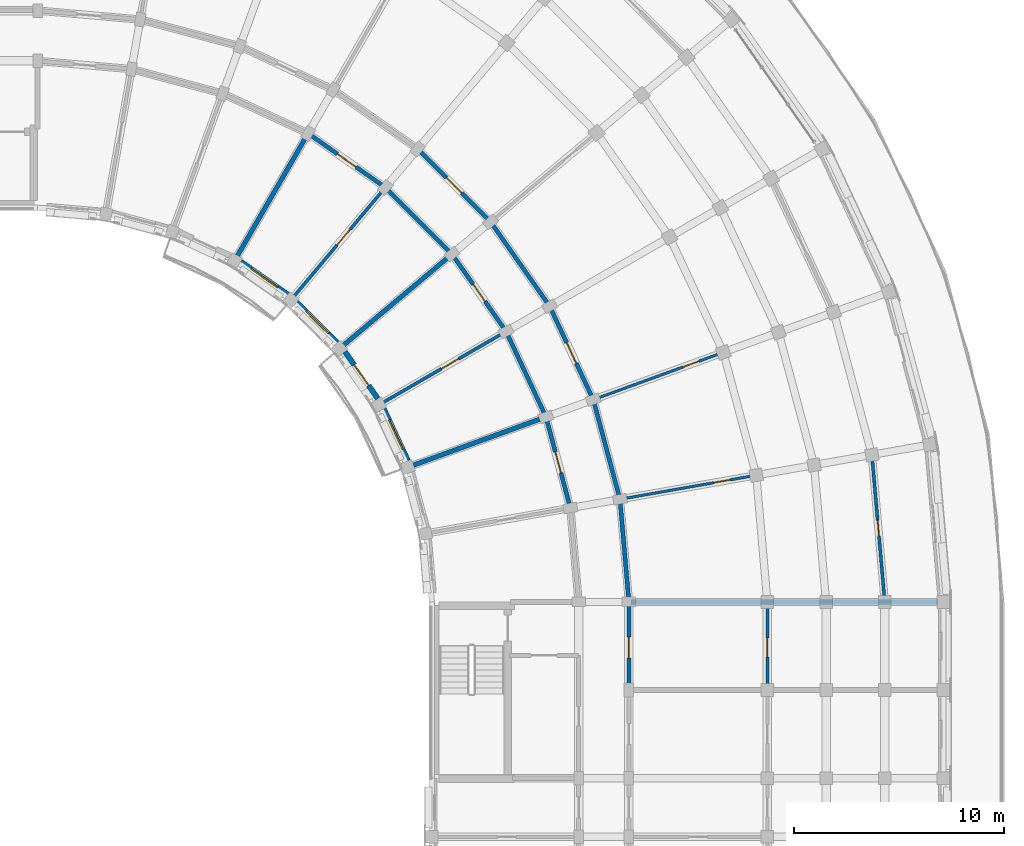
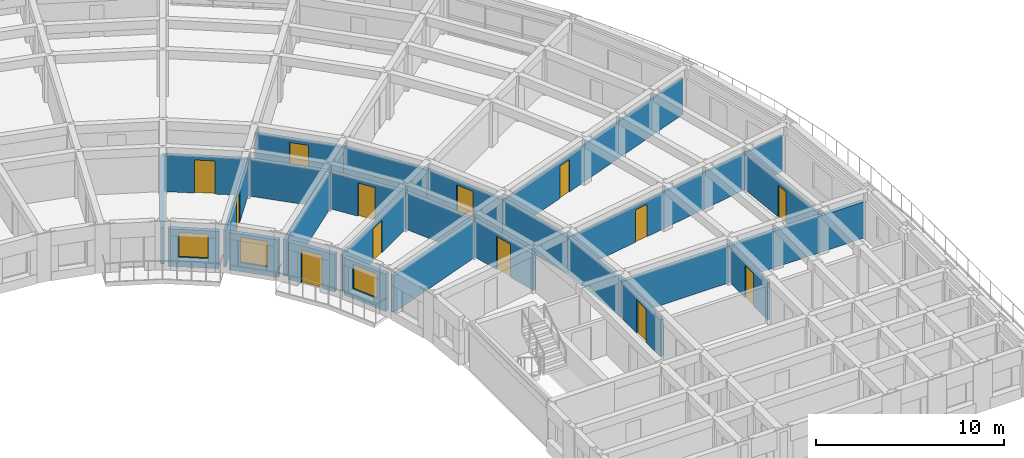
# One storey, part 33 of 53: 25 walls, 13 doors, 3 windows, 16 openings.
"""IFC4 building model written with IfcOpenShell, lengths in metres."""

import ifcopenshell
import ifcopenshell.guid

model = None  # the IFC model being written
_history = None  # IfcOwnerHistory: only IFC2X3 demands one
_inside = {}  # id of a spatial element -> (the spatial element, [elements in it])
_under = {}  # id of a project, library or spatial element -> (it, [spatial elements below it])
_declared = {}  # id of a project -> (the project, [libraries it declares])
_typed = {}  # id of a type object -> (the type object, [elements of that type])
_made_of = {}  # id of a material, layer set ... -> (it, [elements and type objects made of it])


def new_model(schema):
    """Start an empty IFC model of exactly this schema.

    Asked for "IFC4X3", IfcOpenShell would pick the latest addendum, in which some entities
    have other attributes; the version numbers below select the first issue.
    IFC2X3 requires an IfcOwnerHistory on every rooted entity: one is made here for all.
    """
    global model, _history
    if schema == "IFC4X3":
        model = ifcopenshell.file(schema_version=(4, 3, 0, 0))
    else:
        model = ifcopenshell.file(schema=schema)
    _inside.clear()
    _under.clear()
    _declared.clear()
    _typed.clear()
    _made_of.clear()
    _history = None
    if model.schema == "IFC2X3":
        org = make("IfcOrganization", Name="unknown")
        user = make(
            "IfcPersonAndOrganization",
            ThePerson=make("IfcPerson", FamilyName="unknown"),
            TheOrganization=org,
        )
        app = make(
            "IfcApplication",
            ApplicationDeveloper=org,
            Version="unknown",
            ApplicationFullName="unknown",
            ApplicationIdentifier="unknown",
        )
        _history = make(
            "IfcOwnerHistory",
            OwningUser=user,
            OwningApplication=app,
            ChangeAction="ADDED",
            CreationDate=0,
        )
    return model


def make(cls, **values):
    """One entity of the class cls with the attributes given. An attribute that is None is left unset."""
    return model.create_entity(
        cls, **{name: value for name, value in values.items() if value is not None}
    )


def rooted(cls, **values):
    """An entity with a GlobalId (a new one), such as an element, a storey or a relation."""
    return make(cls, GlobalId=ifcopenshell.guid.new(), OwnerHistory=_history, **values)


def si_unit(unit_type, name, prefix=None):
    """IfcSIUnit, for example si_unit("LENGTHUNIT", "METRE", prefix="MILLI")."""
    return make("IfcSIUnit", UnitType=unit_type, Prefix=prefix, Name=name)


def assignment(units):
    """IfcUnitAssignment: the units of a project."""
    return None if units is None else make("IfcUnitAssignment", Units=units)


def point(xyz):
    """IfcCartesianPoint."""
    return None if xyz is None else make("IfcCartesianPoint", Coordinates=xyz)


def direction(xyz):
    """IfcDirection."""
    return None if xyz is None else make("IfcDirection", DirectionRatios=xyz)


def frame(location, z_axis=None, x_axis=None):
    """IfcAxis2Placement3D, a coordinate frame: its origin and axes. An axis left out is left unset."""
    return make(
        "IfcAxis2Placement3D",
        Location=point(location),
        Axis=direction(z_axis),
        RefDirection=direction(x_axis),
    )


def frame_2d(location, x_axis=None):
    """IfcAxis2Placement2D, a coordinate frame in the plane: its origin and x axis."""
    return make(
        "IfcAxis2Placement2D", Location=point(location), RefDirection=direction(x_axis)
    )


def origin():
    """The frame at (0, 0, 0) with its axes left unset."""
    return frame((0.0, 0.0, 0.0))


def place(relative_to, where):
    """IfcLocalPlacement: puts the frame where relative to a parent placement (None: the world)."""
    return make(
        "IfcLocalPlacement", PlacementRelTo=relative_to, RelativePlacement=where
    )


def context(
    kind, dimensions, precision=None, world=None, true_north=None, identifier=None
):
    """IfcGeometricRepresentationContext, for example the 3D "Model" context."""
    return make(
        "IfcGeometricRepresentationContext",
        ContextIdentifier=identifier,
        ContextType=kind,
        CoordinateSpaceDimension=dimensions,
        Precision=precision,
        WorldCoordinateSystem=world,
        TrueNorth=true_north,
    )


def subcontext(parent, identifier, kind, view, scale=None):
    """IfcGeometricRepresentationSubContext, for example "Body" below "Model"."""
    return make(
        "IfcGeometricRepresentationSubContext",
        ContextIdentifier=identifier,
        ContextType=kind,
        ParentContext=parent,
        TargetScale=scale,
        TargetView=view,
    )


def project(units=None, contexts=None):
    """IfcProject with its units and contexts."""
    return rooted(
        "IfcProject",
        Name="project",
        RepresentationContexts=contexts,
        UnitsInContext=assignment(units),
    )


def spatial(cls, under=None, at=None, **own):
    """A site, building, storey or space (cls), placed at a placement, below another one or the project."""
    s = rooted(cls, ObjectPlacement=at, **own)
    if under is not None:
        _under.setdefault(under.id(), (under, []))[1].append(s)
    return s


def profile(cls, at=None, kind="AREA", **sizes):
    """A parametric profile (cls). Its sizes go by their IFC names, for example OverallWidth=200.0."""
    return make(cls, ProfileType=kind, Position=at, **sizes)


def rectangle(**sizes):
    """IfcRectangleProfileDef."""
    return profile("IfcRectangleProfileDef", **sizes)


def extrude(swept, where, along, depth):
    """IfcExtrudedAreaSolid: the profile swept, set in the frame where, extruded along a direction by depth."""
    return make(
        "IfcExtrudedAreaSolid",
        SweptArea=swept,
        Position=where,
        ExtrudedDirection=direction(along),
        Depth=depth,
    )


def shape(context_of_items, identifier, shape_type, items):
    """IfcShapeRepresentation: the items that make up one representation, for example the "Body"."""
    return make(
        "IfcShapeRepresentation",
        ContextOfItems=context_of_items,
        RepresentationIdentifier=identifier,
        RepresentationType=shape_type,
        Items=items,
    )


def material(Name=None, Category=None):
    """IfcMaterial."""
    return make("IfcMaterial", Name=Name, Category=Category)


def layer(
    of_material, thickness, ventilated=None, Name=None, Category=None, Priority=None
):
    """IfcMaterialLayer: one layer of a wall or slab, of a material (None: an air gap)."""
    return make(
        "IfcMaterialLayer",
        Material=of_material,
        LayerThickness=thickness,
        IsVentilated=ventilated,
        Name=Name,
        Category=Category,
        Priority=Priority,
    )


def layer_set(layers, Name=None):
    """IfcMaterialLayerSet."""
    return make("IfcMaterialLayerSet", MaterialLayers=layers, LayerSetName=Name)


def made_of(thing, what):
    """Note that an element or type object is made of a material, layer set ...; save() writes the relation."""
    if what is not None:
        _made_of.setdefault(what.id(), (what, []))[1].append(thing)
    return thing


def type_object(cls, material=None, **own):
    """A type object (cls), such as IfcWallType, which elements share."""
    return made_of(rooted(cls, **own), material)


def element(
    cls,
    number,
    at=None,
    inside=None,
    cuts=None,
    type_object=None,
    material=None,
    context=None,
    identifier="Body",
    shape_type=None,
    held_by="IfcProductDefinitionShape",
    body=None,
    shapes=None,
    **own,
):
    """One element of the class cls, such as IfcWall. Its Tag is "e" and its number.

    at: its placement. inside: the storey or other place that contains it. cuts: it is an
    opening in that element (IfcRelVoidsElement). A single representation is given by context,
    identifier, shape_type and body (its items); several are given by shapes. held_by: the class
    of the entity that holds the representations. save() writes the other relations.
    """
    e = rooted(cls, Tag="e%d" % number, ObjectPlacement=at, **own)
    if body is not None:
        shapes = [shape(context, identifier, shape_type, body)]
    if shapes is not None:
        e.Representation = make(held_by, Representations=shapes)
    if inside is not None:
        _inside.setdefault(inside.id(), (inside, []))[1].append(e)
    if cuts is not None:
        rooted(
            "IfcRelVoidsElement", RelatingBuildingElement=cuts, RelatedOpeningElement=e
        )
    if type_object is not None:
        _typed.setdefault(type_object.id(), (type_object, []))[1].append(e)
    return made_of(e, material)


def fill(opening, filler):
    """IfcRelFillsElement: the door or window that sits in an opening."""
    return rooted(
        "IfcRelFillsElement",
        RelatingOpeningElement=opening,
        RelatedBuildingElement=filler,
    )


def aggregate(whole, parts):
    """IfcRelAggregates: a whole, such as a stair, and the parts it consists of."""
    return rooted("IfcRelAggregates", RelatingObject=whole, RelatedObjects=parts)


def save(model, path):
    """Write the relations noted so far, then the file.

    IfcRelAggregates (storeys below a building ...), IfcRelContainedInSpatialStructure (elements
    in a storey), IfcRelDefinesByType, IfcRelAssociatesMaterial and IfcRelDeclares: one each for
    every whole, place, type object, material and project.
    """
    for whole, parts in _under.values():
        aggregate(whole, parts)
    for where, things in _inside.values():
        rooted(
            "IfcRelContainedInSpatialStructure",
            RelatedElements=things,
            RelatingStructure=where,
        )
    for kind, things in _typed.values():
        rooted("IfcRelDefinesByType", RelatedObjects=things, RelatingType=kind)
    for what, things in _made_of.values():
        rooted("IfcRelAssociatesMaterial", RelatedObjects=things, RelatingMaterial=what)
    for by, libraries in _declared.values():
        rooted("IfcRelDeclares", RelatingContext=by, RelatedDefinitions=libraries)
    model.write(path)


model = new_model("IFC4")

# Units and contexts
model_context = context("Model", 3, precision=1e-05, world=origin(), true_north=direction((0.0, 1.0)))
body_context = subcontext(model_context, "Body", "Model", "MODEL_VIEW")
ifc_project = project(units=[si_unit("LENGTHUNIT", "METRE"), si_unit("AREAUNIT", "SQUARE_METRE"), si_unit("VOLUMEUNIT", "CUBIC_METRE"), si_unit("PLANEANGLEUNIT", "RADIAN"), si_unit("MASSUNIT", "GRAM", prefix="KILO")], contexts=[model_context])

# Site, building, storey
site_placement = place(None, origin())
site = spatial("IfcSite", under=ifc_project, at=site_placement, CompositionType="ELEMENT")
building_placement = place(site_placement, origin())
building = spatial("IfcBuilding", under=site, at=building_placement, Name="Kiranvali Square Residences", CompositionType="ELEMENT")
storey_placement = place(building_placement, frame((0.0, 0.0, 30.75)))
storey = spatial("IfcBuildingStorey", under=building, at=storey_placement, Name="L09", CompositionType="ELEMENT", Elevation=30.75)

# Wall, opening, door
ifc_material_1 = material(Name="Autoclaved aerated concrete blockwork masonry", Category="masonry")
ifc_layer_1 = layer(ifc_material_1, 0.199951171875)
ifc_layer_set_1 = layer_set([ifc_layer_1], Name="Autoclaved aerated concrete blockwork masonry")
wall_type_1 = type_object("IfcWallType", Name="WL-COR-200", PredefinedType="STANDARD", material=ifc_layer_set_1)
wall_1_placement = place(storey_placement, frame((132.699951171875, 110.1435546875, 0.0), z_axis=(0.0, 0.0, 1.0), x_axis=(0.819155404658, -0.573571637217, 0.0)))
wall_1 = element("IfcWall", 1, at=wall_1_placement, inside=storey, type_object=wall_type_1, Name="L09 architectural wall WL-L09-B-CCI-3", PredefinedType="STANDARD", context=body_context, shape_type="SweptSolid", body=[
    extrude(rectangle(XDim=4.497314453125, YDim=0.199951171875, at=frame_2d((2.24853515625, 0.0))), origin(), (0.0, 0.0, 1.0), 2.3720703125),
])
opening_1_placement = place(wall_1_placement, frame((1.708740234375, 0.0, 0.0)))
opening_1 = element("IfcOpeningElement", 2, at=opening_1_placement, cuts=wall_1, Name="Opening FD-APT-60C", PredefinedType="OPENING", context=body_context, shape_type="SweptSolid", body=[
    extrude(rectangle(XDim=1.080078125, YDim=2.14990234375, at=frame_2d((0.5400390625, 1.074951171875))), frame((0.0, 0.10986328125, 0.0), z_axis=(0.0, -1.0, 0.0), x_axis=(1.0, 0.0, 0.0)), (0.0, 0.0, 1.0), 0.219970703125),
])
ifc_material_2 = material(Name="Fire-rated acoustic hardwood and mineral-core door assembly", Category="wood")
door_type_1 = type_object("IfcDoorType", Name="DR-APT-1080", OperationType="NOTDEFINED", PredefinedType="DOOR", material=ifc_material_2)
door_1_placement = place(opening_1_placement, origin())
door_1 = element("IfcDoor", 3, at=door_1_placement, inside=storey, type_object=door_type_1, Name="L09 door DR-L09-1561 (DR-APT-1080)", OperationType="SINGLE_SWING_LEFT", OverallHeight=2.14990234375, OverallWidth=1.080078125, PredefinedType="DOOR", context=body_context, shape_type="SweptSolid", body=[
    extrude(rectangle(XDim=1.080078125, YDim=2.14990234375, at=frame_2d((0.5400390625, 1.074951171875))), frame((0.0, 0.02490234375, 0.0), z_axis=(0.0, -1.0, 0.0), x_axis=(1.0, 0.0, 0.0)), (0.0, 0.0, 1.0), 0.050048828125),
])
fill(opening_1, door_1)

# Wall
wall_2_placement = place(storey_placement, frame((136.384033203125, 107.56396484375, 0.0), z_axis=(0.0, 0.0, 1.0), x_axis=(0.707106781187, -0.707106781187, 0.0)))
element("IfcWall", 4, at=wall_2_placement, inside=storey, type_object=wall_type_1, Name="L09 architectural wall WL-L09-B-CCI-4", PredefinedType="STANDARD", context=body_context, shape_type="SweptSolid", body=[
    extrude(rectangle(XDim=4.4970703125, YDim=0.199951171875, at=frame_2d((2.24853515625, 0.0))), origin(), (0.0, 0.0, 1.0), 2.3720703125),
])

# Wall, opening, door
wall_3_placement = place(storey_placement, frame((137.926513671875, 109.40234375, 0.0), z_axis=(0.0, 0.0, 1.0), x_axis=(0.707106781187, -0.707106781187, 0.0)))
wall_3 = element("IfcWall", 5, at=wall_3_placement, inside=storey, type_object=wall_type_1, Name="L09 architectural wall WL-L09-B-CCO-4", PredefinedType="STANDARD", context=body_context, shape_type="SweptSolid", body=[
    extrude(rectangle(XDim=4.91552734375, YDim=0.199951171875, at=frame_2d((2.457763671875, 0.0))), origin(), (0.0, 0.0, 1.0), 2.3720703125),
])
opening_2_placement = place(wall_3_placement, frame((1.937744140625, 0.0, 0.0)))
opening_2 = element("IfcOpeningElement", 6, at=opening_2_placement, cuts=wall_3, Name="Opening FD-APT-60B", PredefinedType="OPENING", context=body_context, shape_type="SweptSolid", body=[
    extrude(rectangle(XDim=1.0400390625, YDim=2.14990234375, at=frame_2d((0.52001953125, 1.074951171875))), frame((0.0, 0.10986328125, 0.0), z_axis=(0.0, -1.0, 0.0), x_axis=(1.0, 0.0, 0.0)), (0.0, 0.0, 1.0), 0.219970703125),
])
door_type_2 = type_object("IfcDoorType", Name="DR-APT-1040", OperationType="NOTDEFINED", PredefinedType="DOOR", material=ifc_material_2)
door_2_placement = place(opening_2_placement, origin())
door_2 = element("IfcDoor", 7, at=door_2_placement, inside=storey, type_object=door_type_2, Name="L09 door DR-L09-1555 (DR-APT-1040)", OperationType="SINGLE_SWING_LEFT", OverallHeight=2.14990234375, OverallWidth=1.0400390625, PredefinedType="DOOR", context=body_context, shape_type="SweptSolid", body=[
    extrude(rectangle(XDim=1.0400390625, YDim=2.14990234375, at=frame_2d((0.52001953125, 1.074951171875))), frame((0.0, 0.02490234375, 0.0), z_axis=(0.0, -1.0, 0.0), x_axis=(1.0, 0.0, 0.0)), (0.0, 0.0, 1.0), 0.050048828125),
])
fill(opening_2, door_2)

wall_4_placement = place(storey_placement, frame((139.56396484375, 104.384033203125, 0.0), z_axis=(0.0, 0.0, 1.0), x_axis=(0.573571637217, -0.819155404658, 0.0)))
wall_4 = element("IfcWall", 8, at=wall_4_placement, inside=storey, type_object=wall_type_1, Name="L09 architectural wall WL-L09-B-CCI-5", PredefinedType="STANDARD", context=body_context, shape_type="SweptSolid", body=[
    extrude(rectangle(XDim=4.497314453125, YDim=0.199951171875, at=frame_2d((2.24853515625, 0.0))), origin(), (0.0, 0.0, 1.0), 2.3720703125),
])
opening_3_placement = place(wall_4_placement, frame((1.74853515625, 0.0, 0.0)))
opening_3 = element("IfcOpeningElement", 9, at=opening_3_placement, cuts=wall_4, Name="Opening FD-APT-60", PredefinedType="OPENING", context=body_context, shape_type="SweptSolid", body=[
    extrude(rectangle(XDim=1.0, YDim=2.14990234375, at=frame_2d((0.5, 1.074951171875))), frame((0.0, 0.10986328125, 0.0), z_axis=(0.0, -1.0, 0.0), x_axis=(1.0, 0.0, 0.0)), (0.0, 0.0, 1.0), 0.219970703125),
])
door_type_3 = type_object("IfcDoorType", Name="DR-APT-1000", OperationType="NOTDEFINED", PredefinedType="DOOR", material=ifc_material_2)
door_3_placement = place(opening_3_placement, frame((1.0, 0.0, 0.0), z_axis=(0.0, 0.0, 1.0), x_axis=(-1.0, 0.0, 0.0)))
door_3 = element("IfcDoor", 10, at=door_3_placement, inside=storey, type_object=door_type_3, Name="L09 door DR-L09-1562 (DR-APT-1000)", OperationType="SINGLE_SWING_RIGHT", OverallHeight=2.14990234375, OverallWidth=1.0, PredefinedType="DOOR", context=body_context, shape_type="SweptSolid", body=[
    extrude(rectangle(XDim=1.0, YDim=2.14990234375, at=frame_2d((0.5, 1.074951171875))), frame((0.0, 0.02490234375, 0.0), z_axis=(0.0, -1.0, 0.0), x_axis=(1.0, 0.0, 0.0)), (0.0, 0.0, 1.0), 0.050048828125),
])
fill(opening_3, door_3)

# Walls
wall_5_placement = place(storey_placement, frame((141.40234375, 105.926513671875, 0.0), z_axis=(0.0, 0.0, 1.0), x_axis=(0.573592335331, -0.819140911474, 0.0)))
element("IfcWall", 11, at=wall_5_placement, inside=storey, type_object=wall_type_1, Name="L09 architectural wall WL-L09-B-CCO-5", PredefinedType="STANDARD", context=body_context, shape_type="SweptSolid", body=[
    extrude(rectangle(XDim=4.915771484375, YDim=0.199951171875, at=frame_2d((2.4580078125, 0.0))), origin(), (0.0, 0.0, 1.0), 2.3720703125),
])
wall_6_placement = place(storey_placement, frame((142.1435546875, 100.699951171875, 0.0), z_axis=(0.0, 0.0, 1.0), x_axis=(0.422617978463, -0.906307919131, 0.0)))
element("IfcWall", 12, at=wall_6_placement, inside=storey, type_object=wall_type_1, Name="L09 architectural wall WL-L09-B-CCI-6", PredefinedType="STANDARD", context=body_context, shape_type="SweptSolid", body=[
    extrude(rectangle(XDim=4.497314453125, YDim=0.199951171875, at=frame_2d((2.24853515625, 0.0))), origin(), (0.0, 0.0, 1.0), 2.3720703125),
])

# Wall, opening, door
wall_7_placement = place(storey_placement, frame((144.221923828125, 101.89990234375, 0.0), z_axis=(0.0, 0.0, 1.0), x_axis=(0.422629854778, -0.906302381024, 0.0)))
wall_7 = element("IfcWall", 13, at=wall_7_placement, inside=storey, type_object=wall_type_1, Name="L09 architectural wall WL-L09-B-CCO-6", PredefinedType="STANDARD", context=body_context, shape_type="SweptSolid", body=[
    extrude(rectangle(XDim=4.915283203125, YDim=0.199951171875, at=frame_2d((2.45751953125, 0.0))), origin(), (0.0, 0.0, 1.0), 2.3720703125),
])
opening_4_placement = place(wall_7_placement, frame((1.917724609375, 0.0, 0.0)))
opening_4 = element("IfcOpeningElement", 14, at=opening_4_placement, cuts=wall_7, Name="Opening FD-APT-60C", PredefinedType="OPENING", context=body_context, shape_type="SweptSolid", body=[
    extrude(rectangle(XDim=1.080078125, YDim=2.14990234375, at=frame_2d((0.5400390625, 1.074951171875))), frame((0.0, 0.10986328125, 0.0), z_axis=(0.0, -1.0, 0.0), x_axis=(1.0, 0.0, 0.0)), (0.0, 0.0, 1.0), 0.219970703125),
])
door_4_placement = place(opening_4_placement, origin())
door_4 = element("IfcDoor", 15, at=door_4_placement, inside=storey, type_object=door_type_1, Name="L09 door DR-L09-1557 (DR-APT-1080)", OperationType="SINGLE_SWING_LEFT", OverallHeight=2.14990234375, OverallWidth=1.080078125, PredefinedType="DOOR", context=body_context, shape_type="SweptSolid", body=[
    extrude(rectangle(XDim=1.080078125, YDim=2.14990234375, at=frame_2d((0.5400390625, 1.074951171875))), frame((0.0, 0.02490234375, 0.0), z_axis=(0.0, -1.0, 0.0), x_axis=(1.0, 0.0, 0.0)), (0.0, 0.0, 1.0), 0.050048828125),
])
fill(opening_4, door_4)

wall_8_placement = place(storey_placement, frame((144.044189453125, 96.6240234375, 0.0), z_axis=(0.0, 0.0, 1.0), x_axis=(0.258787642463, -0.965934240054, 0.0)))
wall_8 = element("IfcWall", 16, at=wall_8_placement, inside=storey, type_object=wall_type_1, Name="L09 architectural wall WL-L09-B-CCI-7", PredefinedType="STANDARD", context=body_context, shape_type="SweptSolid", body=[
    extrude(rectangle(XDim=4.497314453125, YDim=0.199951171875, at=frame_2d((2.24853515625, 0.0))), origin(), (0.0, 0.0, 1.0), 2.3720703125),
])
opening_5_placement = place(wall_8_placement, frame((1.728515625, 0.0, 0.0)))
opening_5 = element("IfcOpeningElement", 17, at=opening_5_placement, cuts=wall_8, Name="Opening FD-APT-60B", PredefinedType="OPENING", context=body_context, shape_type="SweptSolid", body=[
    extrude(rectangle(XDim=1.0400390625, YDim=2.14990234375, at=frame_2d((0.52001953125, 1.074951171875))), frame((0.0, 0.10986328125, 0.0), z_axis=(0.0, -1.0, 0.0), x_axis=(1.0, 0.0, 0.0)), (0.0, 0.0, 1.0), 0.219970703125),
])
door_5_placement = place(opening_5_placement, origin())
door_5 = element("IfcDoor", 18, at=door_5_placement, inside=storey, type_object=door_type_2, Name="L09 door DR-L09-1563 (DR-APT-1040)", OperationType="SINGLE_SWING_LEFT", OverallHeight=2.14990234375, OverallWidth=1.0400390625, PredefinedType="DOOR", context=body_context, shape_type="SweptSolid", body=[
    extrude(rectangle(XDim=1.0400390625, YDim=2.14990234375, at=frame_2d((0.52001953125, 1.074951171875))), frame((0.0, 0.02490234375, 0.0), z_axis=(0.0, -1.0, 0.0), x_axis=(1.0, 0.0, 0.0)), (0.0, 0.0, 1.0), 0.050048828125),
])
fill(opening_5, door_5)

# Walls
wall_9_placement = place(storey_placement, frame((146.29931640625, 97.445068359375, 0.0), z_axis=(0.0, 0.0, 1.0), x_axis=(0.258803112091, -0.965930095386, 0.0)))
element("IfcWall", 19, at=wall_9_placement, inside=storey, type_object=wall_type_1, Name="L09 architectural wall WL-L09-B-CCO-7", PredefinedType="STANDARD", context=body_context, shape_type="SweptSolid", body=[
    extrude(rectangle(XDim=4.915771484375, YDim=0.199951171875, at=frame_2d((2.4580078125, 0.0))), origin(), (0.0, 0.0, 1.0), 2.3720703125),
])
wall_10_placement = place(storey_placement, frame((147.571533203125, 92.69677734375, 0.0), z_axis=(0.0, 0.0, 1.0), x_axis=(0.087167566415, -0.996193663584, 0.0)))
element("IfcWall", 20, at=wall_10_placement, inside=storey, type_object=wall_type_1, Name="L09 architectural wall WL-L09-B-CCO-8", PredefinedType="STANDARD", context=body_context, shape_type="SweptSolid", body=[
    extrude(rectangle(XDim=4.91552734375, YDim=0.199951171875, at=frame_2d((2.457763671875, 0.0))), origin(), (0.0, 0.0, 1.0), 2.3720703125),
])

# Wall, opening, door
wall_11_placement = place(storey_placement, frame((148.0, 87.64990234375, 0.0), z_axis=(0.0, 0.0, 1.0), x_axis=(0.0, -1.0, 0.0)))
wall_11 = element("IfcWall", 21, at=wall_11_placement, inside=storey, type_object=wall_type_1, Name="L09 architectural wall WL-L09-B-A2CF-C0", PredefinedType="STANDARD", context=body_context, shape_type="SweptSolid", body=[
    extrude(rectangle(XDim=4.0498046875, YDim=0.199951171875, at=frame_2d((2.02490234375, 0.0))), origin(), (0.0, 0.0, 1.0), 2.3720703125),
])
opening_6_placement = place(wall_11_placement, frame((1.52490234375, 0.0, 0.0)))
opening_6 = element("IfcOpeningElement", 22, at=opening_6_placement, cuts=wall_11, Name="Opening FD-APT-60", PredefinedType="OPENING", context=body_context, shape_type="SweptSolid", body=[
    extrude(rectangle(XDim=1.0, YDim=2.14990234375, at=frame_2d((0.5, 1.074951171875))), frame((0.0, 0.10986328125, 0.0), z_axis=(0.0, -1.0, 0.0), x_axis=(1.0, 0.0, 0.0)), (0.0, 0.0, 1.0), 0.219970703125),
])
door_6_placement = place(opening_6_placement, frame((1.0, 0.0, 0.0), z_axis=(0.0, 0.0, 1.0), x_axis=(-1.0, 0.0, 0.0)))
door_6 = element("IfcDoor", 23, at=door_6_placement, inside=storey, type_object=door_type_3, Name="L09 door DR-L09-1564 (DR-APT-1000)", OperationType="SINGLE_SWING_RIGHT", OverallHeight=2.14990234375, OverallWidth=1.0, PredefinedType="DOOR", context=body_context, shape_type="SweptSolid", body=[
    extrude(rectangle(XDim=1.0, YDim=2.14990234375, at=frame_2d((0.5, 1.074951171875))), frame((0.0, 0.02490234375, 0.0), z_axis=(0.0, -1.0, 0.0), x_axis=(1.0, 0.0, 0.0)), (0.0, 0.0, 1.0), 0.050048828125),
])
fill(opening_6, door_6)

# Walls
ifc_layer_2 = layer(ifc_material_1, 0.219970703125)
ifc_layer_set_2 = layer_set([ifc_layer_2], Name="Autoclaved aerated concrete blockwork masonry")
wall_type_2 = type_object("IfcWallType", Name="WL-DEM-220", PredefinedType="STANDARD", material=ifc_layer_set_2)
for number, where, z_axis, x_axis, name in (
    (24, (129.300048828125, 104.25439453125, 0.0), (0.0, 0.0, 1.0), (0.499997969693, 0.866026575979, 0.0), "L09 architectural wall WL-L09-B-RADI-3"),
    (25, (134.354736328125, 100.012939453125, 0.0), (0.0, 0.0, 1.0), (0.766046761698, 0.642784846501, 0.0), "L09 architectural wall WL-L09-B-RADI-5"),
    (26, (137.654052734375, 94.29833984375, 0.0), (0.0, 0.0, 1.0), (0.939696231917, 0.342010221662, 0.0), "L09 architectural wall WL-L09-B-RADI-7"),
):
    element("IfcWall", number, at=place(storey_placement, frame(where, z_axis=z_axis, x_axis=x_axis)), inside=storey, type_object=wall_type_2, Name=name, PredefinedType="STANDARD", context=body_context, shape_type="SweptSolid", body=[
        extrude(rectangle(XDim=6.75, YDim=0.219970703125, at=frame_2d((3.375, 0.0))), origin(), (0.0, 0.0, 1.0), 2.3720703125),
    ])
wall_12_placement = place(storey_placement, frame((148.10009765625, 87.800048828125, 0.0), z_axis=(0.0, 0.0, 1.0), x_axis=(1.0, 0.0, 0.0)))
element("IfcWall", 27, at=wall_12_placement, inside=storey, type_object=wall_type_2, Name="L09 architectural wall WL-L09-B-RADO-9", PredefinedType="STANDARD", context=body_context, shape_type="SweptSolid", body=[
    extrude(rectangle(XDim=14.619873046875, YDim=0.219970703125, at=frame_2d((7.31005859375, 0.0))), origin(), (0.0, 0.0, 1.0), 2.3720703125),
])

# Wall, opening, window
ifc_material_3 = material(Name="Breathable lime-rendered clay brick masonry", Category="masonry")
ifc_layer_3 = layer(ifc_material_3, 0.25)
ifc_layer_set_3 = layer_set([ifc_layer_3], Name="Breathable lime-rendered clay brick masonry")
wall_type_3 = type_object("IfcWallType", Name="WL-EXT-250", PredefinedType="STANDARD", material=ifc_layer_set_3)
wall_13_placement = place(storey_placement, frame((129.5, 104.02392578125, 0.0), z_axis=(0.0, 0.0, 1.0), x_axis=(0.819126475299, -0.573612950921, 0.0)))
wall_13 = element("IfcWall", 28, at=wall_13_placement, inside=storey, type_object=wall_type_3, Name="L09 exterior wall B-L09-GDN-03", PredefinedType="STANDARD", context=body_context, shape_type="SweptSolid", body=[
    extrude(rectangle(XDim=2.7197265625, YDim=0.25, at=frame_2d((1.35986328125, 0.0))), origin(), (0.0, 0.0, 1.0), 2.422119140625),
])
opening_7_placement = place(wall_13_placement, frame((0.5849609375, 0.0, 0.6220703125)))
opening_7 = element("IfcOpeningElement", 29, at=opening_7_placement, cuts=wall_13, Name="Opening W-18", PredefinedType="OPENING", context=body_context, shape_type="SweptSolid", body=[
    extrude(rectangle(XDim=1.550048828125, YDim=1.60009765625, at=frame_2d((0.77490234375, 0.800048828125))), frame((0.0, 0.135009765625, 0.0), z_axis=(0.0, -1.0, 0.0), x_axis=(1.0, 0.0, 0.0)), (0.0, 0.0, 1.0), 0.27001953125),
])
ifc_material_4 = material(Name="Solar-control low-e double glazing", Category="glass")
window_type_1 = type_object("IfcWindowType", Name="WIN-GDN-1550x1600", PartitioningType="DOUBLE_PANEL_VERTICAL", PredefinedType="WINDOW", material=ifc_material_4)
window_1_placement = place(opening_7_placement, origin())
window_1 = element("IfcWindow", 30, at=window_1_placement, inside=storey, type_object=window_type_1, Name="L09 recessed window B-L09-GDN-03", OverallHeight=1.60009765625, OverallWidth=1.550048828125, PartitioningType="DOUBLE_PANEL_VERTICAL", PredefinedType="WINDOW", context=body_context, shape_type="SweptSolid", body=[
    extrude(rectangle(XDim=1.550048828125, YDim=1.60009765625, at=frame_2d((0.77490234375, 0.800048828125))), frame((0.0, 0.030029296875, 0.0), z_axis=(0.0, -1.0, 0.0), x_axis=(1.0, 0.0, 0.0)), (0.0, 0.0, 1.0), 0.06005859375),
])
fill(opening_7, window_1)

wall_14_placement = place(storey_placement, frame((132.169921875, 102.093017578125, 0.0), z_axis=(0.0, 0.0, 1.0), x_axis=(0.707106781187, -0.707106781187, 0.0)))
wall_14 = element("IfcWall", 31, at=wall_14_placement, inside=storey, type_object=wall_type_3, Name="L09 exterior wall B-L09-GDN-04", PredefinedType="STANDARD", context=body_context, shape_type="SweptSolid", body=[
    extrude(rectangle(XDim=2.7197265625, YDim=0.25, at=frame_2d((1.35986328125, 0.0))), origin(), (0.0, 0.0, 1.0), 2.422119140625),
])
opening_8_placement = place(wall_14_placement, frame((0.60986328125, 0.0, 0.572021484375)))
opening_8 = element("IfcOpeningElement", 32, at=opening_8_placement, cuts=wall_14, Name="Opening W-05", PredefinedType="OPENING", context=body_context, shape_type="SweptSolid", body=[
    extrude(rectangle(XDim=1.5, YDim=1.64990234375, at=frame_2d((0.75, 0.824951171875))), frame((0.0, 0.135009765625, 0.0), z_axis=(0.0, -1.0, 0.0), x_axis=(1.0, 0.0, 0.0)), (0.0, 0.0, 1.0), 0.27001953125),
])
window_type_2 = type_object("IfcWindowType", Name="WIN-RES-1500x1650", PartitioningType="DOUBLE_PANEL_VERTICAL", PredefinedType="WINDOW", material=ifc_material_4)
window_2_placement = place(opening_8_placement, origin())
window_2 = element("IfcWindow", 33, at=window_2_placement, inside=storey, type_object=window_type_2, Name="L09 recessed window B-L09-GDN-04", OverallHeight=1.64990234375, OverallWidth=1.5, PartitioningType="DOUBLE_PANEL_VERTICAL", PredefinedType="WINDOW", context=body_context, shape_type="SweptSolid", body=[
    extrude(rectangle(XDim=1.5, YDim=1.64990234375, at=frame_2d((0.75, 0.824951171875))), frame((0.0, 0.030029296875, 0.0), z_axis=(0.0, -1.0, 0.0), x_axis=(1.0, 0.0, 0.0)), (0.0, 0.0, 1.0), 0.06005859375),
])
fill(opening_8, window_2)

# Wall, opening, door
wall_15_placement = place(storey_placement, frame((134.4638671875, 99.727783203125, 0.0), z_axis=(0.0, 0.0, 1.0), x_axis=(0.573612950921, -0.819126475299, 0.0)))
wall_15 = element("IfcWall", 34, at=wall_15_placement, inside=storey, type_object=wall_type_3, Name="L09 exterior wall B-L09-GDN-05", PredefinedType="STANDARD", context=body_context, shape_type="SweptSolid", body=[
    extrude(rectangle(XDim=2.7197265625, YDim=0.25, at=frame_2d((1.35986328125, 0.0))), origin(), (0.0, 0.0, 1.0), 2.422119140625),
])
opening_9_placement = place(wall_15_placement, frame((0.759765625, 0.0, 0.0)))
opening_9 = element("IfcOpeningElement", 35, at=opening_9_placement, cuts=wall_15, Name="Opening ED-BAL-1", PredefinedType="OPENING", context=body_context, shape_type="SweptSolid", body=[
    extrude(rectangle(XDim=1.199951171875, YDim=2.14990234375, at=frame_2d((0.60009765625, 1.074951171875))), frame((0.0, 0.135009765625, 0.0), z_axis=(0.0, -1.0, 0.0), x_axis=(1.0, 0.0, 0.0)), (0.0, 0.0, 1.0), 0.27001953125),
])
ifc_material_5 = material(Name="Anodised bronze aluminium framing", Category="aluminium")
door_type_4 = type_object("IfcDoorType", Name="DR-BAL-1200", OperationType="NOTDEFINED", PredefinedType="DOOR", material=ifc_material_5)
door_7_placement = place(opening_9_placement, frame((1.199951171875, 0.0, 0.0), z_axis=(0.0, 0.0, 1.0), x_axis=(-1.0, 0.0, 0.0)))
door_7 = element("IfcDoor", 36, at=door_7_placement, inside=storey, type_object=door_type_4, Name="L09 balcony terrace door", OperationType="SINGLE_SWING_LEFT", OverallHeight=2.14990234375, OverallWidth=1.199951171875, PredefinedType="DOOR", context=body_context, shape_type="SweptSolid", body=[
    extrude(rectangle(XDim=1.199951171875, YDim=2.14990234375, at=frame_2d((0.60009765625, 1.074951171875))), frame((0.0, 0.02490234375, 0.0), z_axis=(0.0, -1.0, 0.0), x_axis=(1.0, 0.0, 0.0)), (0.0, 0.0, 1.0), 0.050048828125),
])
fill(opening_9, door_7)

# Wall, opening, window
wall_16_placement = place(storey_placement, frame((136.312255859375, 97.000244140625, 0.0), z_axis=(0.0, 0.0, 1.0), x_axis=(0.422629903269, -0.906302358412, 0.0)))
wall_16 = element("IfcWall", 37, at=wall_16_placement, inside=storey, type_object=wall_type_3, Name="L09 exterior wall B-L09-GDN-06", PredefinedType="STANDARD", context=body_context, shape_type="SweptSolid", body=[
    extrude(rectangle(XDim=2.7197265625, YDim=0.25, at=frame_2d((1.35986328125, 0.0))), origin(), (0.0, 0.0, 1.0), 2.422119140625),
])
opening_10_placement = place(wall_16_placement, frame((0.5849609375, 0.0, 0.6220703125)))
opening_10 = element("IfcOpeningElement", 38, at=opening_10_placement, cuts=wall_16, Name="Opening W-18", PredefinedType="OPENING", context=body_context, shape_type="SweptSolid", body=[
    extrude(rectangle(XDim=1.550048828125, YDim=1.60009765625, at=frame_2d((0.77490234375, 0.800048828125))), frame((0.0, 0.135009765625, 0.0), z_axis=(0.0, -1.0, 0.0), x_axis=(1.0, 0.0, 0.0)), (0.0, 0.0, 1.0), 0.27001953125),
])
window_3_placement = place(opening_10_placement, origin())
window_3 = element("IfcWindow", 39, at=window_3_placement, inside=storey, type_object=window_type_1, Name="L09 recessed window B-L09-GDN-06", OverallHeight=1.60009765625, OverallWidth=1.550048828125, PartitioningType="DOUBLE_PANEL_VERTICAL", PredefinedType="WINDOW", context=body_context, shape_type="SweptSolid", body=[
    extrude(rectangle(XDim=1.550048828125, YDim=1.60009765625, at=frame_2d((0.77490234375, 0.800048828125))), frame((0.0, 0.030029296875, 0.0), z_axis=(0.0, -1.0, 0.0), x_axis=(1.0, 0.0, 0.0)), (0.0, 0.0, 1.0), 0.06005859375),
])
fill(opening_10, window_3)

# Wall, opening, door
ifc_material_6 = material(Name="Acoustic gypsum board drylined partition", Category="gypsum")
ifc_layer_4 = layer(ifc_material_6, 0.125)
ifc_layer_set_4 = layer_set([ifc_layer_4], Name="Acoustic gypsum board drylined partition")
wall_type_4 = type_object("IfcWallType", Name="WL-PRT-125", PredefinedType="PARTITIONING", material=ifc_layer_set_4)
wall_17_placement = place(storey_placement, frame((146.393310546875, 97.479248046875, 0.0), z_axis=(0.0, 0.0, 1.0), x_axis=(0.939694408106, 0.342015232663, 0.0)))
wall_17 = element("IfcWall", 40, at=wall_17_placement, inside=storey, type_object=wall_type_4, Name="L09 architectural wall WL-L09-B-RADO-7", PredefinedType="PARTITIONING", context=body_context, shape_type="SweptSolid", body=[
    extrude(rectangle(XDim=14.619873046875, YDim=0.125, at=frame_2d((7.31005859375, 0.0))), origin(), (0.0, 0.0, 1.0), 2.3720703125),
])
opening_11_placement = place(wall_17_placement, frame((4.449462890625, 0.0, 0.0)))
opening_11 = element("IfcOpeningElement", 41, at=opening_11_placement, cuts=wall_17, Name="Opening ID-WET", PredefinedType="OPENING", context=body_context, shape_type="SweptSolid", body=[
    extrude(rectangle(XDim=0.800048828125, YDim=2.10009765625, at=frame_2d((0.39990234375, 1.050048828125))), frame((0.0, 0.072509765625, 0.0), z_axis=(0.0, -1.0, 0.0), x_axis=(1.0, 0.0, 0.0)), (0.0, 0.0, 1.0), 0.14501953125),
])
ifc_material_7 = material(Name="Solid seasoned teak hardwood joinery", Category="wood")
door_type_5 = type_object("IfcDoorType", Name="DR-WET-800", OperationType="NOTDEFINED", PredefinedType="DOOR", material=ifc_material_7)
door_8_placement = place(opening_11_placement, frame((0.800048828125, 0.0, 0.0), z_axis=(0.0, 0.0, 1.0), x_axis=(-1.0, 0.0, 0.0)))
door_8 = element("IfcDoor", 42, at=door_8_placement, inside=storey, type_object=door_type_5, Name="L09 door DR-L09-1548 (DR-WET-800)", OperationType="SINGLE_SWING_RIGHT", OverallHeight=2.10009765625, OverallWidth=0.800048828125, PredefinedType="DOOR", context=body_context, shape_type="SweptSolid", body=[
    extrude(rectangle(XDim=0.800048828125, YDim=2.10009765625, at=frame_2d((0.39990234375, 1.050048828125))), frame((0.0, 0.02490234375, 0.0), z_axis=(0.0, -1.0, 0.0), x_axis=(1.0, 0.0, 0.0)), (0.0, 0.0, 1.0), 0.050048828125),
])
fill(opening_11, door_8)

wall_18_placement = place(storey_placement, frame((147.670166015625, 92.71435546875, 0.0), z_axis=(0.0, 0.0, 1.0), x_axis=(0.984809269474, 0.173639577162, 0.0)))
wall_18 = element("IfcWall", 43, at=wall_18_placement, inside=storey, type_object=wall_type_4, Name="L09 architectural wall WL-L09-B-RADO-8", PredefinedType="PARTITIONING", context=body_context, shape_type="SweptSolid", body=[
    extrude(rectangle(XDim=14.619873046875, YDim=0.125, at=frame_2d((7.31005859375, 0.0))), origin(), (0.0, 0.0, 1.0), 2.3720703125),
])
opening_12_placement = place(wall_18_placement, frame((4.449462890625, 0.0, 0.0)))
opening_12 = element("IfcOpeningElement", 44, at=opening_12_placement, cuts=wall_18, Name="Opening ID-WET", PredefinedType="OPENING", context=body_context, shape_type="SweptSolid", body=[
    extrude(rectangle(XDim=0.800048828125, YDim=2.10009765625, at=frame_2d((0.39990234375, 1.050048828125))), frame((0.0, 0.072509765625, 0.0), z_axis=(0.0, -1.0, 0.0), x_axis=(1.0, 0.0, 0.0)), (0.0, 0.0, 1.0), 0.14501953125),
])
door_9_placement = place(opening_12_placement, frame((0.800048828125, 0.0, 0.0), z_axis=(0.0, 0.0, 1.0), x_axis=(-1.0, 0.0, 0.0)))
door_9 = element("IfcDoor", 45, at=door_9_placement, inside=storey, type_object=door_type_5, Name="L09 door DR-L09-1550 (DR-WET-800)", OperationType="SINGLE_SWING_RIGHT", OverallHeight=2.10009765625, OverallWidth=0.800048828125, PredefinedType="DOOR", context=body_context, shape_type="SweptSolid", body=[
    extrude(rectangle(XDim=0.800048828125, YDim=2.10009765625, at=frame_2d((0.39990234375, 1.050048828125))), frame((0.0, 0.02490234375, 0.0), z_axis=(0.0, -1.0, 0.0), x_axis=(1.0, 0.0, 0.0)), (0.0, 0.0, 1.0), 0.050048828125),
])
fill(opening_12, door_9)

ifc_layer_5 = layer(ifc_material_6, 0.14990234375)
ifc_layer_set_5 = layer_set([ifc_layer_5], Name="Acoustic gypsum board drylined partition")
wall_type_5 = type_object("IfcWallType", Name="WL-PRT-150", PredefinedType="PARTITIONING", material=ifc_layer_set_5)
wall_19_placement = place(storey_placement, frame((132.012939453125, 102.354736328125, 0.0), z_axis=(0.0, 0.0, 1.0), x_axis=(0.642784846501, 0.766046761698, 0.0)))
wall_19 = element("IfcWall", 46, at=wall_19_placement, inside=storey, type_object=wall_type_5, Name="L09 architectural wall WL-L09-B-RADI-4", PredefinedType="PARTITIONING", context=body_context, shape_type="SweptSolid", body=[
    extrude(rectangle(XDim=6.75, YDim=0.14990234375, at=frame_2d((3.375, 0.0))), origin(), (0.0, 0.0, 1.0), 2.3720703125),
])
opening_13_placement = place(wall_19_placement, frame((3.222412109375, 0.0, 0.0)))
opening_13 = element("IfcOpeningElement", 47, at=opening_13_placement, cuts=wall_19, Name="Opening ID-3", PredefinedType="OPENING", context=body_context, shape_type="SweptSolid", body=[
    extrude(rectangle(XDim=0.97998046875, YDim=2.1201171875, at=frame_2d((0.489990234375, 1.06005859375))), frame((0.0, 0.0849609375, 0.0), z_axis=(0.0, -1.0, 0.0), x_axis=(1.0, 0.0, 0.0)), (0.0, 0.0, 1.0), 0.169921875),
])
door_type_6 = type_object("IfcDoorType", Name="DR-INT-980", OperationType="NOTDEFINED", PredefinedType="DOOR", material=ifc_material_7)
door_10_placement = place(opening_13_placement, origin())
door_10 = element("IfcDoor", 48, at=door_10_placement, inside=storey, type_object=door_type_6, Name="L09 door DR-L09-1545 (DR-INT-980)", OperationType="SINGLE_SWING_LEFT", OverallHeight=2.1201171875, OverallWidth=0.97998046875, PredefinedType="DOOR", context=body_context, shape_type="SweptSolid", body=[
    extrude(rectangle(XDim=0.97998046875, YDim=2.1201171875, at=frame_2d((0.489990234375, 1.06005859375))), frame((0.0, 0.02490234375, 0.0), z_axis=(0.0, -1.0, 0.0), x_axis=(1.0, 0.0, 0.0)), (0.0, 0.0, 1.0), 0.050048828125),
])
fill(opening_13, door_10)

wall_20_placement = place(storey_placement, frame((136.25439453125, 97.300048828125, 0.0), z_axis=(0.0, 0.0, 1.0), x_axis=(0.866026575979, 0.499997969693, 0.0)))
wall_20 = element("IfcWall", 49, at=wall_20_placement, inside=storey, type_object=wall_type_5, Name="L09 architectural wall WL-L09-B-RADI-6", PredefinedType="PARTITIONING", context=body_context, shape_type="SweptSolid", body=[
    extrude(rectangle(XDim=6.75, YDim=0.14990234375, at=frame_2d((3.375, 0.0))), origin(), (0.0, 0.0, 1.0), 2.3720703125),
])
opening_14_placement = place(wall_20_placement, frame((3.242431640625, 0.0, 0.0)))
opening_14 = element("IfcOpeningElement", 50, at=opening_14_placement, cuts=wall_20, Name="Opening ID-2", PredefinedType="OPENING", context=body_context, shape_type="SweptSolid", body=[
    extrude(rectangle(XDim=0.93994140625, YDim=2.10009765625, at=frame_2d((0.469970703125, 1.050048828125))), frame((0.0, 0.0849609375, 0.0), z_axis=(0.0, -1.0, 0.0), x_axis=(1.0, 0.0, 0.0)), (0.0, 0.0, 1.0), 0.169921875),
])
door_type_7 = type_object("IfcDoorType", Name="DR-INT-940", OperationType="NOTDEFINED", PredefinedType="DOOR", material=ifc_material_7)
door_11_placement = place(opening_14_placement, origin())
door_11 = element("IfcDoor", 51, at=door_11_placement, inside=storey, type_object=door_type_7, Name="L09 door DR-L09-1547 (DR-INT-940)", OperationType="SINGLE_SWING_LEFT", OverallHeight=2.10009765625, OverallWidth=0.93994140625, PredefinedType="DOOR", context=body_context, shape_type="SweptSolid", body=[
    extrude(rectangle(XDim=0.93994140625, YDim=2.10009765625, at=frame_2d((0.469970703125, 1.050048828125))), frame((0.0, 0.02490234375, 0.0), z_axis=(0.0, -1.0, 0.0), x_axis=(1.0, 0.0, 0.0)), (0.0, 0.0, 1.0), 0.050048828125),
])
fill(opening_14, door_11)

wall_21_placement = place(storey_placement, frame((154.60009765625, 87.570068359375, 0.0), z_axis=(0.0, 0.0, 1.0), x_axis=(0.0, -1.0, 0.0)))
wall_21 = element("IfcWall", 52, at=wall_21_placement, inside=storey, type_object=wall_type_5, Name="L09 architectural wall WL-L09-B-A2CF-SP0", PredefinedType="PARTITIONING", context=body_context, shape_type="SweptSolid", body=[
    extrude(rectangle(XDim=3.89013671875, YDim=0.14990234375, at=frame_2d((1.945068359375, 0.0))), origin(), (0.0, 0.0, 1.0), 2.3720703125),
])
opening_15_placement = place(wall_21_placement, frame((1.4951171875, 0.0, 0.0)))
opening_15 = element("IfcOpeningElement", 53, at=opening_15_placement, cuts=wall_21, Name="Opening ID-1", PredefinedType="OPENING", context=body_context, shape_type="SweptSolid", body=[
    extrude(rectangle(XDim=0.89990234375, YDim=2.10009765625, at=frame_2d((0.449951171875, 1.050048828125))), frame((0.0, 0.0849609375, 0.0), z_axis=(0.0, -1.0, 0.0), x_axis=(1.0, 0.0, 0.0)), (0.0, 0.0, 1.0), 0.169921875),
])
door_type_8 = type_object("IfcDoorType", Name="DR-INT-900", OperationType="NOTDEFINED", PredefinedType="DOOR", material=ifc_material_7)
door_12_placement = place(opening_15_placement, origin())
door_12 = element("IfcDoor", 54, at=door_12_placement, inside=storey, type_object=door_type_8, Name="L09 door DR-L09-1565 (DR-INT-900)", OperationType="SINGLE_SWING_LEFT", OverallHeight=2.10009765625, OverallWidth=0.89990234375, PredefinedType="DOOR", context=body_context, shape_type="SweptSolid", body=[
    extrude(rectangle(XDim=0.89990234375, YDim=2.10009765625, at=frame_2d((0.449951171875, 1.050048828125))), frame((0.0, 0.02490234375, 0.0), z_axis=(0.0, -1.0, 0.0), x_axis=(1.0, 0.0, 0.0)), (0.0, 0.0, 1.0), 0.050048828125),
])
fill(opening_15, door_12)

ifc_layer_6 = layer(ifc_material_1, 0.14990234375)
ifc_layer_set_6 = layer_set([ifc_layer_6], Name="Autoclaved aerated concrete blockwork masonry")
wall_type_6 = type_object("IfcWallType", Name="WL-WET-150", PredefinedType="PLUMBINGWALL", material=ifc_layer_set_6)
wall_22_placement = place(storey_placement, frame((159.586181640625, 94.8154296875, 0.0), z_axis=(0.0, 0.0, 1.0), x_axis=(0.087156198737, -0.996194658198, 0.0)))
wall_22 = element("IfcWall", 55, at=wall_22_placement, inside=storey, type_object=wall_type_6, Name="L09 architectural wall WL-L09-B-CWET-8", PredefinedType="PLUMBINGWALL", context=body_context, shape_type="SweptSolid", body=[
    extrude(rectangle(XDim=7.042236328125, YDim=0.14990234375, at=frame_2d((3.52099609375, 0.0))), origin(), (0.0, 0.0, 1.0), 2.3720703125),
])
opening_16_placement = place(wall_22_placement, frame((3.14111328125, 0.0, 0.0)))
opening_16 = element("IfcOpeningElement", 56, at=opening_16_placement, cuts=wall_22, Name="Opening ID-WET0", PredefinedType="OPENING", context=body_context, shape_type="SweptSolid", body=[
    extrude(rectangle(XDim=0.760009765625, YDim=2.050048828125, at=frame_2d((0.3798828125, 1.02490234375))), frame((0.0, 0.0849609375, 0.0), z_axis=(0.0, -1.0, 0.0), x_axis=(1.0, 0.0, 0.0)), (0.0, 0.0, 1.0), 0.169921875),
])
door_type_9 = type_object("IfcDoorType", Name="DR-WET-760", OperationType="NOTDEFINED", PredefinedType="DOOR", material=ifc_material_7)
door_13_placement = place(opening_16_placement, origin())
door_13 = element("IfcDoor", 57, at=door_13_placement, inside=storey, type_object=door_type_9, Name="L09 door DR-L09-1559 (DR-WET-760)", OperationType="SINGLE_SWING_LEFT", OverallHeight=2.050048828125, OverallWidth=0.760009765625, PredefinedType="DOOR", context=body_context, shape_type="SweptSolid", body=[
    extrude(rectangle(XDim=0.760009765625, YDim=2.050048828125, at=frame_2d((0.3798828125, 1.02490234375))), frame((0.0, 0.02490234375, 0.0), z_axis=(0.0, -1.0, 0.0), x_axis=(1.0, 0.0, 0.0)), (0.0, 0.0, 1.0), 0.050048828125),
])
fill(opening_16, door_13)

save(model, "model.ifc")
